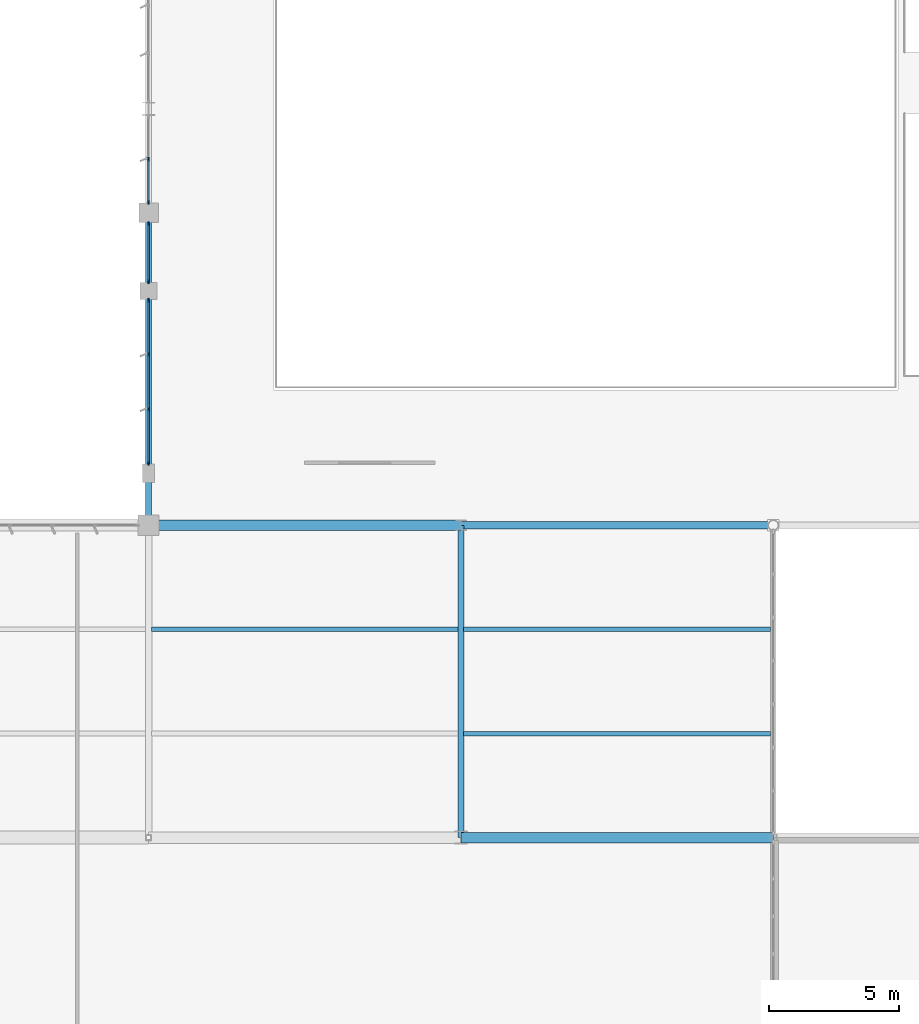
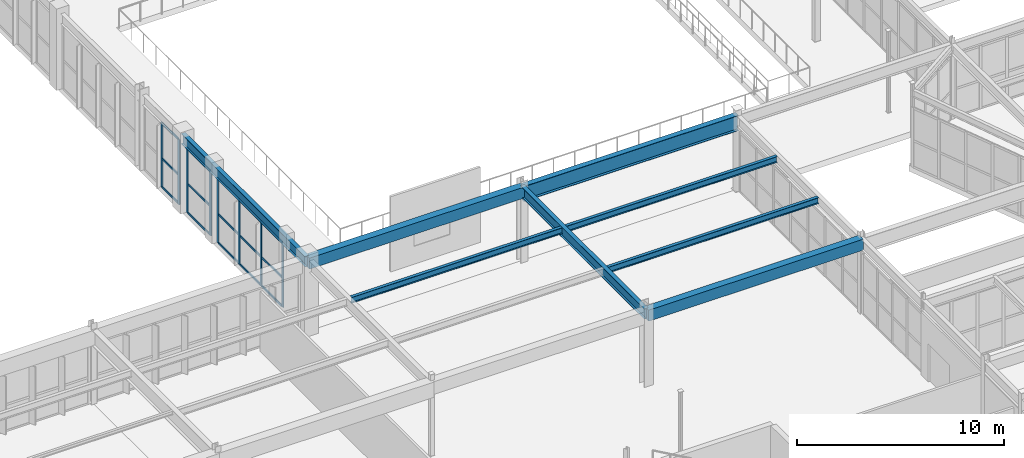
# One storey, part 85 of 226: 23 members, 8 beams, 3 elements without a shape of their own.
"""IFC4 building model written with IfcOpenShell, lengths in metres."""

from ifc_helpers import new_model, si_unit, direction, frame, origin, origin_2d, place, context, subcontext, project, spatial, rectangle, i_section, extrude, material, layer, layer_set, material_profile, profile_set, type_object, element, aggregate, save


model = new_model("IFC4")

# Units and contexts
model_context = context("Model", 3, precision=1e-05, world=origin(), true_north=direction((0.0, 1.0)))
body_context = subcontext(model_context, "Body", "Model", "MODEL_VIEW")
ifc_project = project(units=[si_unit("LENGTHUNIT", "METRE"), si_unit("AREAUNIT", "SQUARE_METRE"), si_unit("VOLUMEUNIT", "CUBIC_METRE"), si_unit("PLANEANGLEUNIT", "RADIAN"), si_unit("MASSUNIT", "GRAM", prefix="KILO")], contexts=[model_context])

# Site, building, storey
site_placement = place(None, origin())
site = spatial("IfcSite", under=ifc_project, at=site_placement, CompositionType="ELEMENT")
building_placement = place(site_placement, origin())
building = spatial("IfcBuilding", under=site, at=building_placement, Name="Tarnwether General Hospital", CompositionType="ELEMENT")
storey_placement = place(building_placement, frame((0.0, 0.0, 4.800048828125)))
storey = spatial("IfcBuildingStorey", under=building, at=storey_placement, Name="L01", CompositionType="ELEMENT", Elevation=4.800048828125)

# Beams
ifc_material_1 = material(Name="Steel Grade 350 (350 MPa)", Category="steel")
ifc_material_profile_1 = material_profile(ifc_material_1, i_section(OverallWidth=0.300048828125, OverallDepth=0.89990234375, WebThickness=0.011962890625, FlangeThickness=0.02001953125, at=origin_2d()), Name="900WB175")
ifc_profile_set_1 = profile_set([ifc_material_profile_1], Name="Steel Grade 350 (350 MPa)")
beam_type_1 = type_object("IfcBeamType", Name="BM-G01", PredefinedType="BEAM", material=ifc_profile_set_1)
beam_1_placement = place(storey_placement, frame((120.0, 45.60009765625, 3.994873046875), z_axis=(1.0, 0.0, 0.0), x_axis=(0.0, 1.0, 0.0)))
element("IfcBeam", 1, at=beam_1_placement, inside=storey, type_object=beam_type_1, Name="Primary Girder BMG-L01-12000_4560-13200_4560-1187", PredefinedType="BEAM", context=body_context, shape_type="SweptSolid", body=[
    extrude(i_section(OverallWidth=0.300048828125, OverallDepth=0.89990234375, WebThickness=0.011962890625, FlangeThickness=0.02001953125, at=origin_2d()), origin(), (0.0, 0.0, 1.0), 12.0),
])
ifc_material_2 = material(Name="Steel Grade 350 (350 MPa)", Category="steel")
ifc_material_profile_2 = material_profile(ifc_material_2, i_section(OverallWidth=0.22900390625, OverallDepth=0.612060546875, WebThickness=0.011962890625, FlangeThickness=0.01953125, at=origin_2d()), Name="610UB125")
ifc_profile_set_2 = profile_set([ifc_material_profile_2], Name="Steel Grade 350 (350 MPa)")
beam_type_2 = type_object("IfcBeamType", Name="BM-G03", PredefinedType="BEAM", material=ifc_profile_set_2)
for number, where, z_axis, x_axis, name in (
    (2, (108.0, 45.60009765625, 4.138916015625), (0.0, 1.0, 0.0), (-1.0, 0.0, 0.0), "Primary Girder BMG-L01-10800_4560-10800_5760-1176"),
    (3, (120.0, 33.60009765625, 4.138916015625), (0.0, 1.0, 0.0), (-1.0, 0.0, 0.0), "Primary Girder BMG-L01-12000_3360-12000_4560-1186"),
):
    element("IfcBeam", number, at=place(storey_placement, frame(where, z_axis=z_axis, x_axis=x_axis)), inside=storey, type_object=beam_type_2, Name=name, PredefinedType="BEAM", context=body_context, shape_type="SweptSolid", body=[
        extrude(i_section(OverallWidth=0.22900390625, OverallDepth=0.612060546875, WebThickness=0.011962890625, FlangeThickness=0.01953125, at=origin_2d()), origin(), (0.0, 0.0, 1.0), 12.0),
    ])
ifc_material_3 = material(Name="Concrete 40 MPa", Category="concrete")
ifc_material_profile_3 = material_profile(ifc_material_3, rectangle(XDim=0.39990234375, YDim=0.64990234375, at=origin_2d()), Name="RC-BM-400x650")
ifc_profile_set_3 = profile_set([ifc_material_profile_3], Name="Concrete 40 MPa")
beam_type_3 = type_object("IfcBeamType", Name="BM-G14", PredefinedType="BEAM", material=ifc_profile_set_3)
for number, where, z_axis, x_axis, name in (
    (4, (108.0, 45.60009765625, 4.119873046875), (1.0, 0.0, 0.0), (0.0, 1.0, 0.0), "Primary Girder BMG-L01-10800_4560-12000_4560-1175"),
    (5, (120.0, 33.60009765625, 4.119873046875), (1.0, 0.0, 0.0), (0.0, 1.0, 0.0), "Primary Girder BMG-L01-12000_3360-13200_3360-1185"),
):
    element("IfcBeam", number, at=place(storey_placement, frame(where, z_axis=z_axis, x_axis=x_axis)), inside=storey, type_object=beam_type_3, Name=name, PredefinedType="BEAM", context=body_context, shape_type="SweptSolid", body=[
        extrude(rectangle(XDim=0.39990234375, YDim=0.64990234375, at=origin_2d()), origin(), (0.0, 0.0, 1.0), 12.0),
    ])
ifc_material_4 = material(Name="Steel Grade 350 (350 MPa)", Category="steel")
ifc_material_profile_4 = material_profile(ifc_material_4, i_section(OverallWidth=0.172119140625, OverallDepth=0.35888671875, WebThickness=0.008056640625, FlangeThickness=0.012939453125, at=origin_2d()), Name="360UB56.7")
ifc_profile_set_4 = profile_set([ifc_material_profile_4], Name="Steel Grade 350 (350 MPa)")
beam_type_4 = type_object("IfcBeamType", Name="BM-J03", PredefinedType="JOIST", material=ifc_profile_set_4)
beam_2_placement = place(storey_placement, frame((108.118896484375, 41.60009765625, 4.265380859375), z_axis=(1.0, 0.0, 0.0), x_axis=(0.0, 1.0, 0.0)))
element("IfcBeam", 6, at=beam_2_placement, inside=storey, type_object=beam_type_4, Name="Composite Floor Joist BMG-L01-10812_4160-11989_4160-1378", PredefinedType="JOIST", context=body_context, shape_type="SweptSolid", body=[
    extrude(i_section(OverallWidth=0.172119140625, OverallDepth=0.35888671875, WebThickness=0.008056640625, FlangeThickness=0.012939453125, at=origin_2d()), origin(), (0.0, 0.0, 1.0), 11.772216796875),
])
beam_3_placement = place(storey_placement, frame((120.10888671875, 37.60009765625, 4.265380859375), z_axis=(1.0, 0.0, 0.0), x_axis=(0.0, 1.0, 0.0)))
element("IfcBeam", 7, at=beam_3_placement, inside=storey, type_object=beam_type_4, Name="Composite Floor Joist BMG-L01-12011_3760-13189_3760-1381", PredefinedType="JOIST", context=body_context, shape_type="SweptSolid", body=[
    extrude(i_section(OverallWidth=0.172119140625, OverallDepth=0.35888671875, WebThickness=0.008056640625, FlangeThickness=0.012939453125, at=origin_2d()), origin(), (0.0, 0.0, 1.0), 11.783203125),
])
ifc_material_5 = material(Name="Steel Grade 350 (350 MPa)", Category="steel")
ifc_material_profile_5 = material_profile(ifc_material_5, i_section(OverallWidth=0.1708984375, OverallDepth=0.35595703125, WebThickness=0.00732421875, FlangeThickness=0.011474609375, at=origin_2d()), Name="360UB50.7")
ifc_profile_set_5 = profile_set([ifc_material_profile_5], Name="Steel Grade 350 (350 MPa)")
beam_type_5 = type_object("IfcBeamType", Name="BM-J04", PredefinedType="JOIST", material=ifc_profile_set_5)
beam_4_placement = place(storey_placement, frame((120.10888671875, 41.60009765625, 4.266845703125), z_axis=(1.0, 0.0, 0.0), x_axis=(0.0, 1.0, 0.0)))
element("IfcBeam", 8, at=beam_4_placement, inside=storey, type_object=beam_type_5, Name="Composite Floor Joist BMG-L01-12011_4160-13189_4160-1382", PredefinedType="JOIST", context=body_context, shape_type="SweptSolid", body=[
    extrude(i_section(OverallWidth=0.1708984375, OverallDepth=0.35595703125, WebThickness=0.00732421875, FlangeThickness=0.011474609375, at=origin_2d()), origin(), (0.0, 0.0, 1.0), 11.783203125),
])

# Curtain wall, members
ifc_material_6 = material(Name="Anodised aluminium", Category="aluminium")
ifc_layer = layer(ifc_material_6, 0.179931640625)
ifc_layer_set = layer_set([ifc_layer], Name="Anodised aluminium")
curtain_wall_type = type_object("IfcCurtainWallType", Name="CW-07", PredefinedType="NOTDEFINED", material=ifc_layer_set)
curtain_wall_1_placement = place(storey_placement, origin())
curtain_wall_1 = element("IfcCurtainWall", 9, at=curtain_wall_1_placement, inside=storey, type_object=curtain_wall_type, Name="Curtain Wall CWG-L01-1080_480-0355", PredefinedType="NOTDEFINED")
ifc_material_7 = material(Name="Anodised aluminium", Category="aluminium")
ifc_material_profile_6 = material_profile(ifc_material_7, rectangle(XDim=0.06005859375, YDim=0.159912109375, at=origin_2d()), Name="ALU-MUL-60x160")
ifc_profile_set_6 = profile_set([ifc_material_profile_6], Name="Anodised aluminium")
member_type_1 = type_object("IfcMemberType", Name="CW-ML1", PredefinedType="MULLION", material=ifc_profile_set_6)
member_1_placement = place(storey_placement, frame((108.0, 47.988037109375, 0.0), z_axis=(0.0, 0.0, 1.0), x_axis=(-1.0, 0.0, 0.0)))
member_1 = element("IfcMember", 10, at=member_1_placement, type_object=member_type_1, Name="CW-07 mullion 1", PredefinedType="MULLION", context=body_context, shape_type="SweptSolid", body=[
    extrude(rectangle(XDim=0.06005859375, YDim=0.159912109375, at=origin_2d()), origin(), (0.0, 0.0, 1.0), 3.81787109375),
])
member_2_placement = place(storey_placement, frame((108.0, 50.06103515625, 0.0), z_axis=(0.0, 0.0, 1.0), x_axis=(-1.0, 0.0, 0.0)))
member_2 = element("IfcMember", 11, at=member_2_placement, type_object=member_type_1, Name="CW-07 mullion 2", PredefinedType="MULLION", context=body_context, shape_type="SweptSolid", body=[
    extrude(rectangle(XDim=0.06005859375, YDim=0.159912109375, at=origin_2d()), origin(), (0.0, 0.0, 1.0), 3.81787109375),
])
member_3_placement = place(storey_placement, frame((108.0, 52.1640625, 0.0), z_axis=(0.0, 0.0, 1.0), x_axis=(-1.0, 0.0, 0.0)))
member_3 = element("IfcMember", 12, at=member_3_placement, type_object=member_type_1, Name="CW-07 mullion 3", PredefinedType="MULLION", context=body_context, shape_type="SweptSolid", body=[
    extrude(rectangle(XDim=0.06005859375, YDim=0.159912109375, at=origin_2d()), origin(), (0.0, 0.0, 1.0), 3.81787109375),
])
member_4_placement = place(storey_placement, frame((108.0, 54.237060546875, 0.0), z_axis=(0.0, 0.0, 1.0), x_axis=(-1.0, 0.0, 0.0)))
member_4 = element("IfcMember", 13, at=member_4_placement, type_object=member_type_1, Name="CW-07 mullion 4", PredefinedType="MULLION", context=body_context, shape_type="SweptSolid", body=[
    extrude(rectangle(XDim=0.06005859375, YDim=0.159912109375, at=origin_2d()), origin(), (0.0, 0.0, 1.0), 3.81787109375),
])

curtain_wall_2_placement = place(storey_placement, origin())
curtain_wall_2 = element("IfcCurtainWall", 14, at=curtain_wall_2_placement, inside=storey, type_object=curtain_wall_type, Name="Curtain Wall CWG-L01-1080_549-0356", PredefinedType="NOTDEFINED")
member_5_placement = place(storey_placement, frame((108.0, 54.962890625, 0.0), z_axis=(0.0, 0.0, 1.0), x_axis=(-1.0, 0.0, 0.0)))
member_5 = element("IfcMember", 15, at=member_5_placement, type_object=member_type_1, Name="CW-07 mullion 1", PredefinedType="MULLION", context=body_context, shape_type="SweptSolid", body=[
    extrude(rectangle(XDim=0.06005859375, YDim=0.159912109375, at=origin_2d()), origin(), (0.0, 0.0, 1.0), 3.81787109375),
])
member_6_placement = place(storey_placement, frame((108.0, 57.18701171875, 0.0), z_axis=(0.0, 0.0, 1.0), x_axis=(-1.0, 0.0, 0.0)))
member_6 = element("IfcMember", 16, at=member_6_placement, type_object=member_type_1, Name="CW-07 mullion 2", PredefinedType="MULLION", context=body_context, shape_type="SweptSolid", body=[
    extrude(rectangle(XDim=0.06005859375, YDim=0.159912109375, at=origin_2d()), origin(), (0.0, 0.0, 1.0), 3.81787109375),
])

curtain_wall_3_placement = place(storey_placement, origin())
curtain_wall_3 = element("IfcCurtainWall", 17, at=curtain_wall_3_placement, inside=storey, type_object=curtain_wall_type, Name="Curtain Wall CWG-L01-1080_580-0357", PredefinedType="NOTDEFINED")
member_7_placement = place(storey_placement, frame((108.0, 58.012939453125, 0.0), z_axis=(0.0, 0.0, 1.0), x_axis=(-1.0, 0.0, 0.0)))
member_7 = element("IfcMember", 18, at=member_7_placement, type_object=member_type_1, Name="CW-07 mullion 1", PredefinedType="MULLION", context=body_context, shape_type="SweptSolid", body=[
    extrude(rectangle(XDim=0.06005859375, YDim=0.159912109375, at=origin_2d()), origin(), (0.0, 0.0, 1.0), 3.822998046875),
])
member_8_placement = place(storey_placement, frame((108.0, 59.66259765625, 0.0), z_axis=(0.0, 0.0, 1.0), x_axis=(-1.0, 0.0, 0.0)))
member_8 = element("IfcMember", 19, at=member_8_placement, type_object=member_type_1, Name="CW-07 mullion 2", PredefinedType="MULLION", context=body_context, shape_type="SweptSolid", body=[
    extrude(rectangle(XDim=0.06005859375, YDim=0.159912109375, at=origin_2d()), origin(), (0.0, 0.0, 1.0), 3.822998046875),
])

# Member
ifc_material_8 = material(Name="Anodised aluminium", Category="aluminium")
ifc_material_profile_7 = material_profile(ifc_material_8, rectangle(XDim=0.06005859375, YDim=0.1201171875, at=origin_2d()), Name="ALU-TRN-60x120")
ifc_profile_set_7 = profile_set([ifc_material_profile_7], Name="Anodised aluminium")
member_type_2 = type_object("IfcMemberType", Name="CW-TR1", PredefinedType="USERDEFINED", material=ifc_profile_set_7)
member_9_placement = place(storey_placement, frame((108.0, 48.01806640625, 0.030029296875), z_axis=(0.0, 1.0, 0.0), x_axis=(-1.0, 0.0, 0.0)))
member_9 = element("IfcMember", 20, at=member_9_placement, type_object=member_type_2, Name="CW-07 transom 1.1", ObjectType="TRANSOM", PredefinedType="USERDEFINED", context=body_context, shape_type="SweptSolid", body=[
    extrude(rectangle(XDim=0.06005859375, YDim=0.1201171875, at=origin_2d()), origin(), (0.0, 0.0, 1.0), 2.012939453125),
])

member_10_placement = place(storey_placement, frame((108.0, 48.01806640625, 1.718017578125), z_axis=(0.0, 1.0, 0.0), x_axis=(-1.0, 0.0, 0.0)))
member_10 = element("IfcMember", 21, at=member_10_placement, type_object=member_type_2, Name="CW-07 transom 1.2", ObjectType="TRANSOM", PredefinedType="USERDEFINED", context=body_context, shape_type="SweptSolid", body=[
    extrude(rectangle(XDim=0.06005859375, YDim=0.1201171875, at=origin_2d()), origin(), (0.0, 0.0, 1.0), 2.012939453125),
])

member_11_placement = place(storey_placement, frame((108.0, 48.01806640625, 3.787841796875), z_axis=(0.0, 1.0, 0.0), x_axis=(-1.0, 0.0, 0.0)))
member_11 = element("IfcMember", 22, at=member_11_placement, type_object=member_type_2, Name="CW-07 transom 1.3", ObjectType="TRANSOM", PredefinedType="USERDEFINED", context=body_context, shape_type="SweptSolid", body=[
    extrude(rectangle(XDim=0.06005859375, YDim=0.1201171875, at=origin_2d()), origin(), (0.0, 0.0, 1.0), 2.012939453125),
])

member_12_placement = place(storey_placement, frame((108.0, 50.091064453125, 0.030029296875), z_axis=(0.0, 1.0, 0.0), x_axis=(-1.0, 0.0, 0.0)))
member_12 = element("IfcMember", 23, at=member_12_placement, type_object=member_type_2, Name="CW-07 transom 2.1", ObjectType="TRANSOM", PredefinedType="USERDEFINED", context=body_context, shape_type="SweptSolid", body=[
    extrude(rectangle(XDim=0.06005859375, YDim=0.1201171875, at=origin_2d()), origin(), (0.0, 0.0, 1.0), 2.04296875),
])

member_13_placement = place(storey_placement, frame((108.0, 50.091064453125, 1.718017578125), z_axis=(0.0, 1.0, 0.0), x_axis=(-1.0, 0.0, 0.0)))
member_13 = element("IfcMember", 24, at=member_13_placement, type_object=member_type_2, Name="CW-07 transom 2.2", ObjectType="TRANSOM", PredefinedType="USERDEFINED", context=body_context, shape_type="SweptSolid", body=[
    extrude(rectangle(XDim=0.06005859375, YDim=0.1201171875, at=origin_2d()), origin(), (0.0, 0.0, 1.0), 2.04296875),
])

member_14_placement = place(storey_placement, frame((108.0, 50.091064453125, 3.787841796875), z_axis=(0.0, 1.0, 0.0), x_axis=(-1.0, 0.0, 0.0)))
member_14 = element("IfcMember", 25, at=member_14_placement, type_object=member_type_2, Name="CW-07 transom 2.3", ObjectType="TRANSOM", PredefinedType="USERDEFINED", context=body_context, shape_type="SweptSolid", body=[
    extrude(rectangle(XDim=0.06005859375, YDim=0.1201171875, at=origin_2d()), origin(), (0.0, 0.0, 1.0), 2.04296875),
])

member_15_placement = place(storey_placement, frame((108.0, 52.194091796875, 0.030029296875), z_axis=(0.0, 1.0, 0.0), x_axis=(-1.0, 0.0, 0.0)))
member_15 = element("IfcMember", 26, at=member_15_placement, type_object=member_type_2, Name="CW-07 transom 3.1", ObjectType="TRANSOM", PredefinedType="USERDEFINED", context=body_context, shape_type="SweptSolid", body=[
    extrude(rectangle(XDim=0.06005859375, YDim=0.1201171875, at=origin_2d()), origin(), (0.0, 0.0, 1.0), 2.012939453125),
])

member_16_placement = place(storey_placement, frame((108.0, 52.194091796875, 1.718017578125), z_axis=(0.0, 1.0, 0.0), x_axis=(-1.0, 0.0, 0.0)))
member_16 = element("IfcMember", 27, at=member_16_placement, type_object=member_type_2, Name="CW-07 transom 3.2", ObjectType="TRANSOM", PredefinedType="USERDEFINED", context=body_context, shape_type="SweptSolid", body=[
    extrude(rectangle(XDim=0.06005859375, YDim=0.1201171875, at=origin_2d()), origin(), (0.0, 0.0, 1.0), 2.012939453125),
])

member_17_placement = place(storey_placement, frame((108.0, 52.194091796875, 3.787841796875), z_axis=(0.0, 1.0, 0.0), x_axis=(-1.0, 0.0, 0.0)))
member_17 = element("IfcMember", 28, at=member_17_placement, type_object=member_type_2, Name="CW-07 transom 3.3", ObjectType="TRANSOM", PredefinedType="USERDEFINED", context=body_context, shape_type="SweptSolid", body=[
    extrude(rectangle(XDim=0.06005859375, YDim=0.1201171875, at=origin_2d()), origin(), (0.0, 0.0, 1.0), 2.012939453125),
])

aggregate(curtain_wall_1, [member_1, member_2, member_3, member_4, member_9, member_10, member_11, member_12, member_13, member_14, member_15, member_16, member_17])

member_18_placement = place(storey_placement, frame((108.0, 54.992919921875, 0.030029296875), z_axis=(0.0, 1.0, 0.0), x_axis=(-1.0, 0.0, 0.0)))
member_18 = element("IfcMember", 29, at=member_18_placement, type_object=member_type_2, Name="CW-07 transom 1.1", ObjectType="TRANSOM", PredefinedType="USERDEFINED", context=body_context, shape_type="SweptSolid", body=[
    extrude(rectangle(XDim=0.06005859375, YDim=0.1201171875, at=origin_2d()), origin(), (0.0, 0.0, 1.0), 2.1640625),
])

member_19_placement = place(storey_placement, frame((108.0, 54.992919921875, 1.718017578125), z_axis=(0.0, 1.0, 0.0), x_axis=(-1.0, 0.0, 0.0)))
member_19 = element("IfcMember", 30, at=member_19_placement, type_object=member_type_2, Name="CW-07 transom 1.2", ObjectType="TRANSOM", PredefinedType="USERDEFINED", context=body_context, shape_type="SweptSolid", body=[
    extrude(rectangle(XDim=0.06005859375, YDim=0.1201171875, at=origin_2d()), origin(), (0.0, 0.0, 1.0), 2.1640625),
])

member_20_placement = place(storey_placement, frame((108.0, 54.992919921875, 3.787841796875), z_axis=(0.0, 1.0, 0.0), x_axis=(-1.0, 0.0, 0.0)))
member_20 = element("IfcMember", 31, at=member_20_placement, type_object=member_type_2, Name="CW-07 transom 1.3", ObjectType="TRANSOM", PredefinedType="USERDEFINED", context=body_context, shape_type="SweptSolid", body=[
    extrude(rectangle(XDim=0.06005859375, YDim=0.1201171875, at=origin_2d()), origin(), (0.0, 0.0, 1.0), 2.1640625),
])

aggregate(curtain_wall_2, [member_5, member_6, member_18, member_19, member_20])

member_21_placement = place(storey_placement, frame((108.0, 58.04296875, 0.030029296875), z_axis=(0.0, 1.0, 0.0), x_axis=(-1.0, 0.0, 0.0)))
member_21 = element("IfcMember", 32, at=member_21_placement, type_object=member_type_2, Name="CW-07 transom 1.1", ObjectType="TRANSOM", PredefinedType="USERDEFINED", context=body_context, shape_type="SweptSolid", body=[
    extrude(rectangle(XDim=0.06005859375, YDim=0.1201171875, at=origin_2d()), origin(), (0.0, 0.0, 1.0), 1.589599609375),
])

member_22_placement = place(storey_placement, frame((108.0, 58.04296875, 1.72021484375), z_axis=(0.0, 1.0, 0.0), x_axis=(-1.0, 0.0, 0.0)))
member_22 = element("IfcMember", 33, at=member_22_placement, type_object=member_type_2, Name="CW-07 transom 1.2", ObjectType="TRANSOM", PredefinedType="USERDEFINED", context=body_context, shape_type="SweptSolid", body=[
    extrude(rectangle(XDim=0.06005859375, YDim=0.1201171875, at=origin_2d()), origin(), (0.0, 0.0, 1.0), 1.589599609375),
])

member_23_placement = place(storey_placement, frame((108.0, 58.04296875, 3.79296875), z_axis=(0.0, 1.0, 0.0), x_axis=(-1.0, 0.0, 0.0)))
member_23 = element("IfcMember", 34, at=member_23_placement, type_object=member_type_2, Name="CW-07 transom 1.3", ObjectType="TRANSOM", PredefinedType="USERDEFINED", context=body_context, shape_type="SweptSolid", body=[
    extrude(rectangle(XDim=0.06005859375, YDim=0.1201171875, at=origin_2d()), origin(), (0.0, 0.0, 1.0), 1.589599609375),
])

aggregate(curtain_wall_3, [member_7, member_8, member_21, member_22, member_23])

save(model, "model.ifc")
